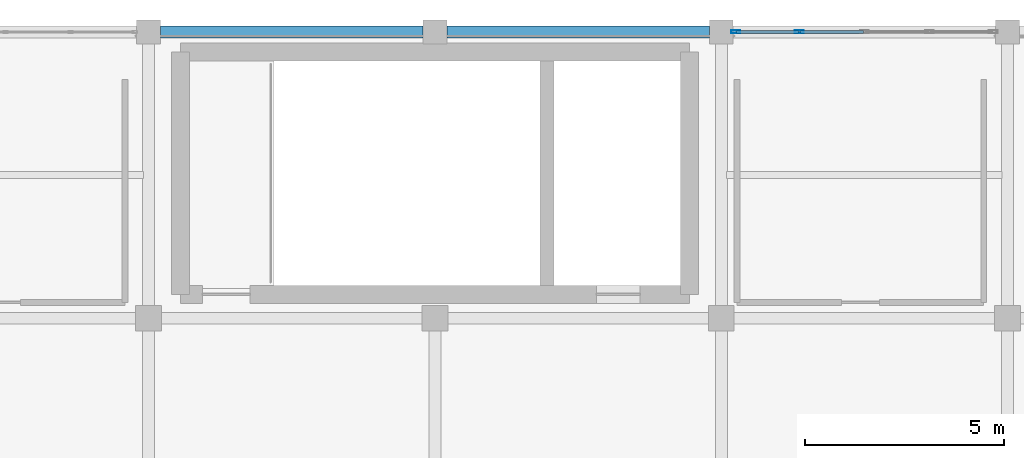
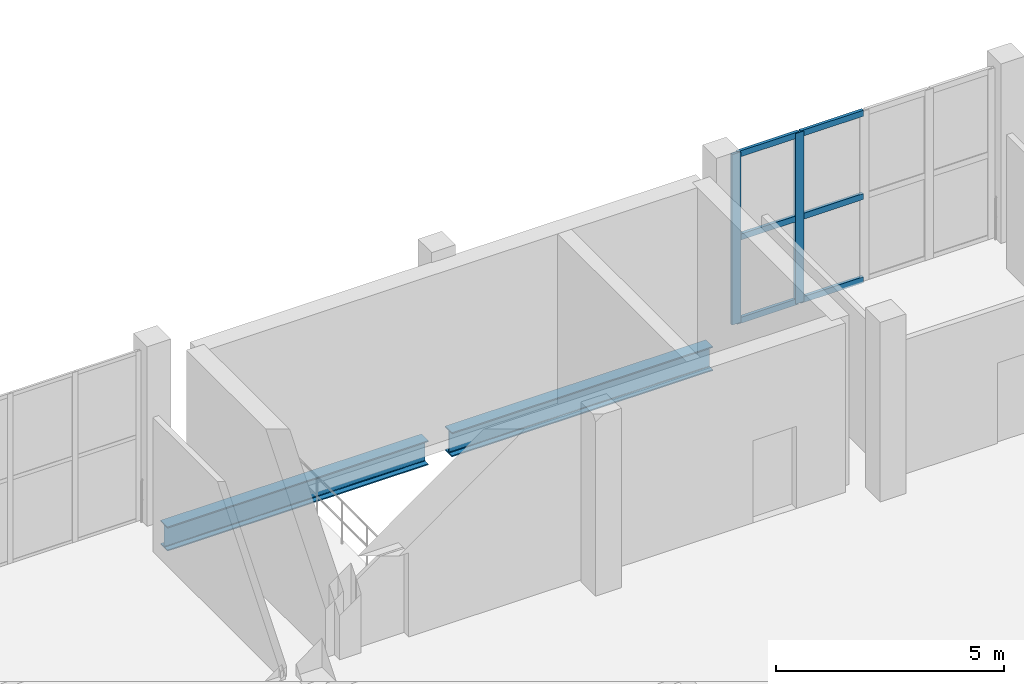
# One storey, part 70 of 105: 8 members, 2 beams, 1 element without a shape of its own.
"""IFC4 building model written with IfcOpenShell, lengths in metres."""

from ifc_helpers import new_model, si_unit, direction, frame, origin, origin_2d, place, context, subcontext, project, spatial, hollow_rectangle, i_section, extrude, material, material_profile, profile_set, type_object, element, aggregate, save


model = new_model("IFC4")

# Units and contexts
model_context = context("Model", 3, precision=1e-05, world=origin(), true_north=direction((0.0, 1.0)))
body_context = subcontext(model_context, "Body", "Model", "MODEL_VIEW")
ifc_project = project(units=[si_unit("LENGTHUNIT", "METRE"), si_unit("AREAUNIT", "SQUARE_METRE"), si_unit("VOLUMEUNIT", "CUBIC_METRE"), si_unit("PLANEANGLEUNIT", "RADIAN"), si_unit("MASSUNIT", "GRAM", prefix="KILO")], contexts=[model_context])

# Site, building, storey
site_placement = place(None, origin())
site = spatial("IfcSite", under=ifc_project, at=site_placement, CompositionType="ELEMENT")
building_placement = place(site_placement, origin())
building = spatial("IfcBuilding", under=site, at=building_placement, Name="Qandorah Velis Arena", CompositionType="ELEMENT")
storey_placement = place(building_placement, frame((0.0, 0.0, 13.800048828125)))
storey = spatial("IfcBuildingStorey", under=building, at=storey_placement, Name="L03", CompositionType="ELEMENT", Elevation=13.800048828125)

# Curtain wall, members
ifc_material_1 = material(Name="Solar-control low-E double glazing", Category="glass")
curtain_wall_type = type_object("IfcCurtainWallType", Name="ARC-CW-SYS17", PredefinedType="USERDEFINED", material=ifc_material_1)
curtain_wall_placement = place(storey_placement, origin())
curtain_wall = element("IfcCurtainWall", 1, at=curtain_wall_placement, inside=storey, type_object=curtain_wall_type, Name="Unitised curtain wall L03-089", ObjectType="UNITISED CURTAIN WALL", PredefinedType="USERDEFINED")
ifc_material_2 = material(Name="Champagne-bronze anodized aluminium 6063-T6", Category="aluminium")
ifc_material_profile_1 = material_profile(ifc_material_2, hollow_rectangle(XDim=0.074951171875, YDim=0.219970703125, WallThickness=0.00390625, at=origin_2d()), Name="ALU MULLION 75x220")
ifc_profile_set_1 = profile_set([ifc_material_profile_1], Name="Champagne-bronze anodized aluminium 6063-T6")
member_type_1 = type_object("IfcMemberType", Name="ARC-CWM-220", PredefinedType="MULLION", material=ifc_profile_set_1)
member_1_placement = place(storey_placement, frame((65.16259765625, 129.60009765625, -0.01513671875), z_axis=(0.0, 0.0, 1.0), x_axis=(0.0, 1.0, 0.0)))
member_1 = element("IfcMember", 2, at=member_1_placement, type_object=member_type_1, Name="CW17 mullion 1", PredefinedType="MULLION", context=body_context, shape_type="SweptSolid", body=[
    extrude(hollow_rectangle(XDim=0.074951171875, YDim=0.219970703125, WallThickness=0.00390625, at=origin_2d()), origin(), (0.0, 0.0, 1.0), 4.56005859375),
])
member_2_placement = place(storey_placement, frame((66.762451171875, 129.60009765625, -0.01513671875), z_axis=(0.0, 0.0, 1.0), x_axis=(0.0, 1.0, 0.0)))
member_2 = element("IfcMember", 3, at=member_2_placement, type_object=member_type_1, Name="CW17 mullion 2", PredefinedType="MULLION", context=body_context, shape_type="SweptSolid", body=[
    extrude(hollow_rectangle(XDim=0.074951171875, YDim=0.219970703125, WallThickness=0.00390625, at=origin_2d()), origin(), (0.0, 0.0, 1.0), 4.56005859375),
])
ifc_material_profile_2 = material_profile(ifc_material_2, hollow_rectangle(XDim=0.074951171875, YDim=0.159912109375, WallThickness=0.00341796875, at=origin_2d()), Name="ALU TRANSOM 75x160")
ifc_profile_set_2 = profile_set([ifc_material_profile_2], Name="Champagne-bronze anodized aluminium 6063-T6")
member_type_2 = type_object("IfcMemberType", Name="ARC-CWT-160", PredefinedType="USERDEFINED", material=ifc_profile_set_2)
member_3_placement = place(storey_placement, frame((65.18798828125, 129.60009765625, 0.037353515625), z_axis=(1.0, 0.0, 0.0), x_axis=(0.0, 1.0, 0.0)))
member_3 = element("IfcMember", 4, at=member_3_placement, type_object=member_type_2, Name="CW17 transom 1.1", ObjectType="TRANSOM", PredefinedType="USERDEFINED", context=body_context, shape_type="SweptSolid", body=[
    extrude(hollow_rectangle(XDim=0.074951171875, YDim=0.159912109375, WallThickness=0.00341796875, at=origin_2d()), origin(), (0.0, 0.0, 1.0), 1.549072265625),
])
member_4_placement = place(storey_placement, frame((65.18798828125, 129.60009765625, 2.264892578125), z_axis=(1.0, 0.0, 0.0), x_axis=(0.0, 1.0, 0.0)))
member_4 = element("IfcMember", 5, at=member_4_placement, type_object=member_type_2, Name="CW17 transom 1.2", ObjectType="TRANSOM", PredefinedType="USERDEFINED", context=body_context, shape_type="SweptSolid", body=[
    extrude(hollow_rectangle(XDim=0.074951171875, YDim=0.159912109375, WallThickness=0.00341796875, at=origin_2d()), origin(), (0.0, 0.0, 1.0), 1.549072265625),
])
member_5_placement = place(storey_placement, frame((65.18798828125, 129.60009765625, 4.492431640625), z_axis=(1.0, 0.0, 0.0), x_axis=(0.0, 1.0, 0.0)))
member_5 = element("IfcMember", 6, at=member_5_placement, type_object=member_type_2, Name="CW17 transom 1.3", ObjectType="TRANSOM", PredefinedType="USERDEFINED", context=body_context, shape_type="SweptSolid", body=[
    extrude(hollow_rectangle(XDim=0.074951171875, YDim=0.159912109375, WallThickness=0.00341796875, at=origin_2d()), origin(), (0.0, 0.0, 1.0), 1.549072265625),
])
member_6_placement = place(storey_placement, frame((66.7880859375, 129.60009765625, 0.037353515625), z_axis=(1.0, 0.0, 0.0), x_axis=(0.0, 1.0, 0.0)))
member_6 = element("IfcMember", 7, at=member_6_placement, type_object=member_type_2, Name="CW17 transom 2.1", ObjectType="TRANSOM", PredefinedType="USERDEFINED", context=body_context, shape_type="SweptSolid", body=[
    extrude(hollow_rectangle(XDim=0.074951171875, YDim=0.159912109375, WallThickness=0.00341796875, at=origin_2d()), origin(), (0.0, 0.0, 1.0), 1.58642578125),
])
member_7_placement = place(storey_placement, frame((66.7880859375, 129.60009765625, 2.264892578125), z_axis=(1.0, 0.0, 0.0), x_axis=(0.0, 1.0, 0.0)))
member_7 = element("IfcMember", 8, at=member_7_placement, type_object=member_type_2, Name="CW17 transom 2.2", ObjectType="TRANSOM", PredefinedType="USERDEFINED", context=body_context, shape_type="SweptSolid", body=[
    extrude(hollow_rectangle(XDim=0.074951171875, YDim=0.159912109375, WallThickness=0.00341796875, at=origin_2d()), origin(), (0.0, 0.0, 1.0), 1.58642578125),
])
member_8_placement = place(storey_placement, frame((66.7880859375, 129.60009765625, 4.492431640625), z_axis=(1.0, 0.0, 0.0), x_axis=(0.0, 1.0, 0.0)))
member_8 = element("IfcMember", 9, at=member_8_placement, type_object=member_type_2, Name="CW17 transom 2.3", ObjectType="TRANSOM", PredefinedType="USERDEFINED", context=body_context, shape_type="SweptSolid", body=[
    extrude(hollow_rectangle(XDim=0.074951171875, YDim=0.159912109375, WallThickness=0.00341796875, at=origin_2d()), origin(), (0.0, 0.0, 1.0), 1.58642578125),
])
aggregate(curtain_wall, [member_1, member_2, member_3, member_4, member_5, member_6, member_7, member_8])

# Beams
ifc_material_3 = material(Name="Steel S355", Category="steel")
ifc_material_profile_3 = material_profile(ifc_material_3, i_section(OverallWidth=0.300048828125, OverallDepth=0.64990234375, WebThickness=0.01611328125, FlangeThickness=0.031005859375, FilletRadius=0.027099609375, at=origin_2d()), Name="HEB 650")
ifc_profile_set_3 = profile_set([ifc_material_profile_3], Name="Steel S355")
beam_type = type_object("IfcBeamType", Name="STR-BM-HEB650", PredefinedType="BEAM", material=ifc_profile_set_3)
for number, where, z_axis, x_axis, name in (
    (10, (50.699951171875, 129.60009765625, -0.64501953125), (1.0, 0.0, 0.0), (0.0, 1.0, 0.0), "Primary floor girder L03 X-169"),
    (11, (57.89990234375, 129.60009765625, -0.64501953125), (1.0, 0.0, 0.0), (0.0, 1.0, 0.0), "Primary floor girder L03 X-170"),
):
    element("IfcBeam", number, at=place(storey_placement, frame(where, z_axis=z_axis, x_axis=x_axis)), inside=storey, type_object=beam_type, Name=name, PredefinedType="BEAM", context=body_context, shape_type="SweptSolid", body=[
        extrude(i_section(OverallWidth=0.300048828125, OverallDepth=0.64990234375, WebThickness=0.01611328125, FlangeThickness=0.031005859375, FilletRadius=0.027099609375, at=origin_2d()), origin(), (0.0, 0.0, 1.0), 6.60009765625),
    ])

save(model, "model.ifc")
